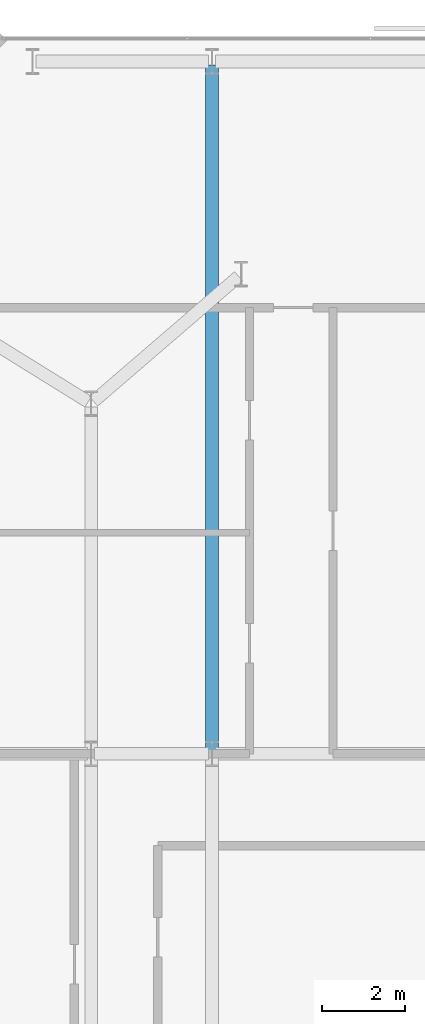
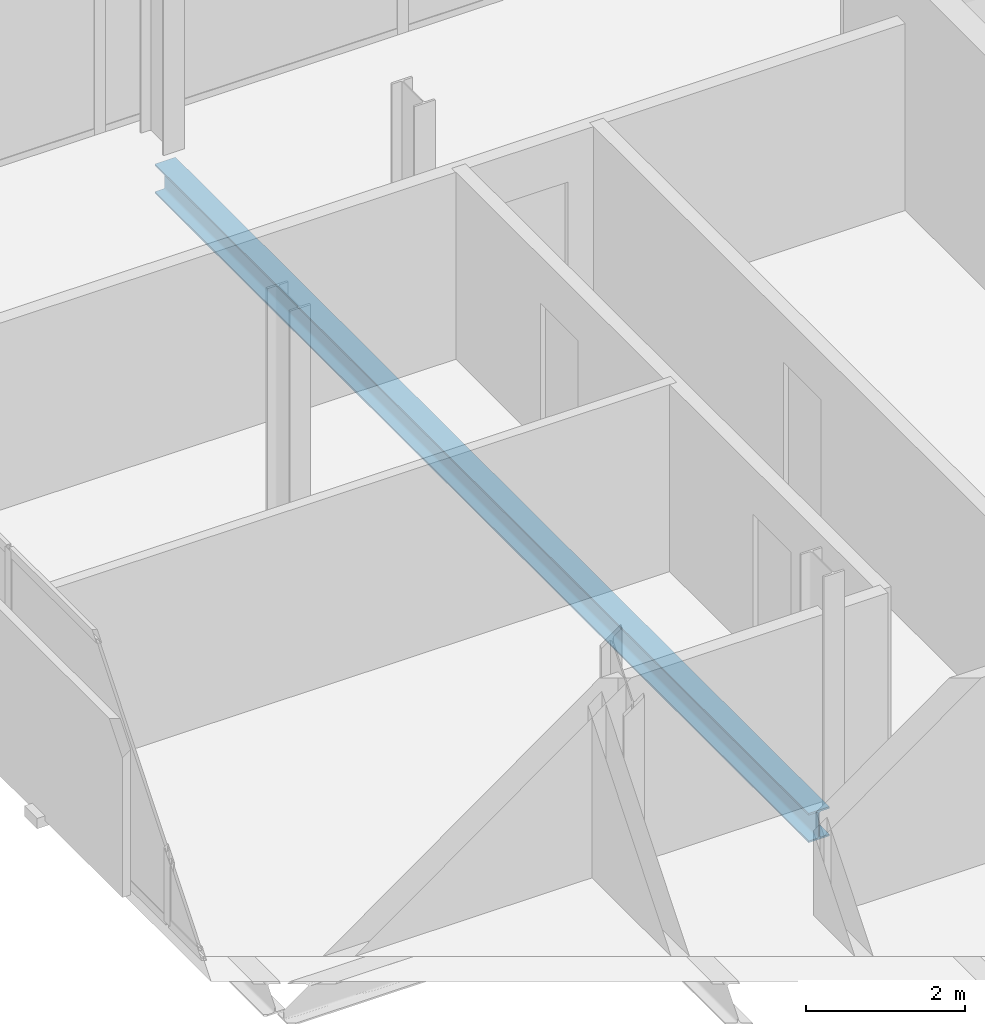
# One storey, part 18 of 32: 1 beam.
"""IFC4 building model written with IfcOpenShell, lengths in metres."""

from ifc_helpers import new_model, si_unit, direction, frame, origin, origin_2d, place, context, subcontext, project, spatial, i_section, extrude, material, material_profile, profile_set, type_object, element, save


model = new_model("IFC4")

# Units and contexts
model_context = context("Model", 3, precision=1e-05, world=origin(), true_north=direction((0.0, 1.0)))
body_context = subcontext(model_context, "Body", "Model", "MODEL_VIEW")
ifc_project = project(units=[si_unit("LENGTHUNIT", "METRE"), si_unit("AREAUNIT", "SQUARE_METRE"), si_unit("VOLUMEUNIT", "CUBIC_METRE"), si_unit("PLANEANGLEUNIT", "RADIAN"), si_unit("MASSUNIT", "GRAM", prefix="KILO")], contexts=[model_context])

# Site, building, storey
site_placement = place(None, origin())
site = spatial("IfcSite", under=ifc_project, at=site_placement, CompositionType="ELEMENT")
building_placement = place(site_placement, origin())
building = spatial("IfcBuilding", under=site, at=building_placement, Name="Catumbela Crestline Tower", CompositionType="ELEMENT")
storey_placement = place(building_placement, frame((0.0, 0.0, 126.0)))
storey = spatial("IfcBuildingStorey", under=building, at=storey_placement, Name="L32", CompositionType="ELEMENT", Elevation=126.0)

# Beam
ifc_material = material(Name="Structural steel S355J2", Category="steel")
ifc_material_profile = material_profile(ifc_material, i_section(OverallWidth=0.3, OverallDepth=0.45, WebThickness=0.014, FlangeThickness=0.026, FilletRadius=0.027, at=origin_2d()), Name="HEB 450")
ifc_profile_set = profile_set([ifc_material_profile], Name="Structural steel S355J2")
beam_type = type_object("IfcBeamType", Name="BG-HEB450", PredefinedType="BEAM", material=ifc_profile_set)
beam_placement = place(storey_placement, frame((8.5, 30.88, -0.485), z_axis=(0.0, 1.0, 0.0), x_axis=(-1.0, 0.0, 0.0)))
element("IfcBeam", 1, at=beam_placement, inside=storey, type_object=beam_type, Name="L32 Beam BM-L32-SN27", PredefinedType="BEAM", context=body_context, shape_type="SweptSolid", body=[
    extrude(i_section(OverallWidth=0.3, OverallDepth=0.45, WebThickness=0.014, FlangeThickness=0.026, FilletRadius=0.027, at=origin_2d()), origin(), (0.0, 0.0, 1.0), 16.44),
])

save(model, "model.ifc")
